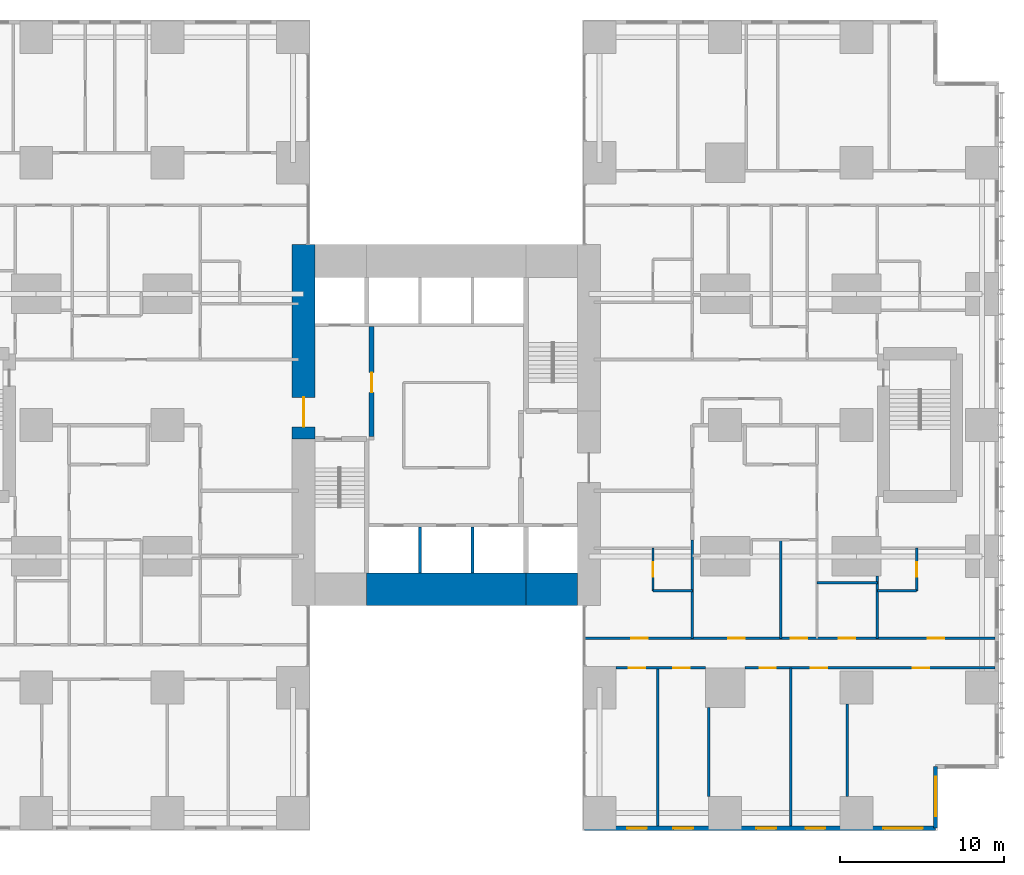
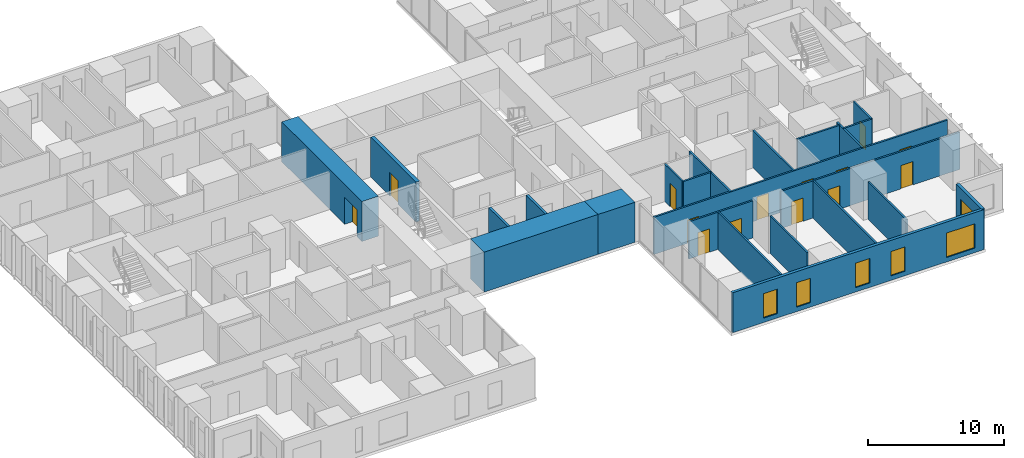
# One storey, part 14 of 20: 23 walls, 14 doors, 6 windows, 20 openings.
"""IFC4 building model written with IfcOpenShell, lengths in metres."""

from ifc_helpers import new_model, si_unit, direction, frame, frame_2d, origin, place, context, subcontext, project, spatial, rectangle, extrude, material, layer, layer_set, type_object, element, fill, save


model = new_model("IFC4")

# Units and contexts
model_context = context("Model", 3, precision=1e-05, world=origin(), true_north=direction((0.0, 1.0)))
body_context = subcontext(model_context, "Body", "Model", "MODEL_VIEW")
ifc_project = project(units=[si_unit("LENGTHUNIT", "METRE"), si_unit("AREAUNIT", "SQUARE_METRE"), si_unit("VOLUMEUNIT", "CUBIC_METRE"), si_unit("PLANEANGLEUNIT", "RADIAN"), si_unit("MASSUNIT", "GRAM", prefix="KILO")], contexts=[model_context])

# Site, building, storey
site_placement = place(None, origin())
site = spatial("IfcSite", under=ifc_project, at=site_placement, CompositionType="ELEMENT")
building_placement = place(site_placement, origin())
building = spatial("IfcBuilding", under=site, at=building_placement, Name="Cleftline Residences", CompositionType="ELEMENT")
storey_placement = place(building_placement, frame((0.0, 0.0, 121.39990234375)))
storey = spatial("IfcBuildingStorey", under=building, at=storey_placement, Name="L31", CompositionType="ELEMENT", Elevation=121.39990234375)

# Wall, opening, door
ifc_material_1 = material(Name="Concrete B70", Category="concrete")
ifc_layer_1 = layer(ifc_material_1, 1.39990234375)
ifc_layer_set_1 = layer_set([ifc_layer_1], Name="CORE WALL 1400")
wall_type_1 = type_object("IfcWallType", Name="CORE WALL 1400", PredefinedType="SHEAR", material=ifc_layer_set_1)
wall_1_placement = place(storey_placement, frame((24.300048828125, 23.14990234375, 0.0), z_axis=(0.0, 0.0, 1.0), x_axis=(0.0, 1.0, 0.0)))
wall_1 = element("IfcWall", 1, at=wall_1_placement, inside=storey, type_object=wall_type_1, Name="Core wall W", PredefinedType="SHEAR", context=body_context, shape_type="SweptSolid", body=[
    extrude(rectangle(XDim=11.85009765625, YDim=1.39990234375, at=frame_2d((5.925048828125, 0.0))), origin(), (0.0, 0.0, 1.0), 3.60009765625),
])
opening_1_placement = place(wall_1_placement, frame((0.75, 0.0, 0.0)))
opening_1 = element("IfcOpeningElement", 2, at=opening_1_placement, cuts=wall_1, Name="Opening D7", PredefinedType="OPENING", context=body_context, shape_type="SweptSolid", body=[
    extrude(rectangle(XDim=1.800048828125, YDim=2.39990234375, at=frame_2d((0.89990234375, 1.199951171875))), frame((0.0, 0.7099609375, 0.0), z_axis=(0.0, -1.0, 0.0), x_axis=(1.0, 0.0, 0.0)), (0.0, 0.0, 1.0), 1.419921875),
])
ifc_material_2 = material(Name="Steel", Category="steel")
door_type_1 = type_object("IfcDoorType", Name="WING DOOR 1800X2400", OperationType="DOUBLE_DOOR_DOUBLE_SWING", PredefinedType="DOOR", material=ifc_material_2)
door_1_placement = place(opening_1_placement, origin())
door_1 = element("IfcDoor", 3, at=door_1_placement, inside=storey, type_object=door_type_1, Name="West wing door", OperationType="DOUBLE_DOOR_DOUBLE_SWING", OverallHeight=2.39990234375, OverallWidth=1.800048828125, PredefinedType="DOOR", context=body_context, shape_type="SweptSolid", body=[
    extrude(rectangle(XDim=1.800048828125, YDim=2.39990234375, at=frame_2d((0.89990234375, 1.199951171875))), frame((0.0, 0.02490234375, 0.0), z_axis=(0.0, -1.0, 0.0), x_axis=(1.0, 0.0, 0.0)), (0.0, 0.0, 1.0), 0.050048828125),
])
fill(opening_1, door_1)

# Walls
ifc_material_3 = material(Name="Concrete B70", Category="concrete")
ifc_layer_2 = layer(ifc_material_3, 2.0)
ifc_layer_set_2 = layer_set([ifc_layer_2], Name="CORE WALL 2000")
wall_type_2 = type_object("IfcWallType", Name="CORE WALL 2000", PredefinedType="SHEAR", material=ifc_layer_set_2)
wall_2_placement = place(storey_placement, frame((28.14990234375, 14.0, 0.0), z_axis=(0.0, 0.0, 1.0), x_axis=(1.0, 0.0, 0.0)))
element("IfcWall", 4, at=wall_2_placement, inside=storey, type_object=wall_type_2, Name="Core wall S2", PredefinedType="SHEAR", context=body_context, shape_type="SweptSolid", body=[
    extrude(rectangle(XDim=9.7001953125, YDim=2.0, at=frame_2d((4.85009765625, 0.0))), origin(), (0.0, 0.0, 1.0), 3.60009765625),
])
wall_3_placement = place(storey_placement, frame((37.85009765625, 14.0, 0.0), z_axis=(0.0, 0.0, 1.0), x_axis=(1.0, 0.0, 0.0)))
element("IfcWall", 5, at=wall_3_placement, inside=storey, type_object=wall_type_2, Name="Core wall S3", PredefinedType="SHEAR", context=body_context, shape_type="SweptSolid", body=[
    extrude(rectangle(XDim=3.14990234375, YDim=2.0, at=frame_2d((1.574951171875, 0.0))), origin(), (0.0, 0.0, 1.0), 3.60009765625),
])

# Wall, openings, windows
ifc_material_4 = material(Name="Rendered reinforced concrete blockwork", Category="masonry")
ifc_layer_3 = layer(ifc_material_4, 0.25)
ifc_layer_set_3 = layer_set([ifc_layer_3], Name="EXTERNAL WALL 250")
wall_type_3 = type_object("IfcWallType", Name="EXTERNAL WALL 250", PredefinedType="SOLIDWALL", material=ifc_layer_set_3)
wall_4_placement = place(storey_placement, frame((41.425048828125, -0.574951171875, 0.0), z_axis=(0.0, 0.0, 1.0), x_axis=(1.0, 0.0, 0.0)))
wall_4 = element("IfcWall", 6, at=wall_4_placement, inside=storey, type_object=wall_type_3, Name="External wall", PredefinedType="SOLIDWALL", context=body_context, shape_type="SweptSolid", body=[
    extrude(rectangle(XDim=21.39990234375, YDim=0.25, at=frame_2d((10.699951171875, 0.0))), origin(), (0.0, 0.0, 1.0), 3.60009765625),
])
opening_2_placement = place(wall_4_placement, frame((2.60009765625, 0.0, 0.39990234375)))
opening_2 = element("IfcOpeningElement", 7, at=opening_2_placement, cuts=wall_4, Name="Opening W11", PredefinedType="OPENING", context=body_context, shape_type="SweptSolid", body=[
    extrude(rectangle(XDim=1.199951171875, YDim=2.199951171875, at=frame_2d((0.60009765625, 1.10009765625))), frame((0.0, 0.135009765625, 0.0), z_axis=(0.0, -1.0, 0.0), x_axis=(1.0, 0.0, 0.0)), (0.0, 0.0, 1.0), 0.27001953125),
])
opening_3_placement = place(wall_4_placement, frame((5.425048828125, 0.0, 0.39990234375)))
opening_3 = element("IfcOpeningElement", 8, at=opening_3_placement, cuts=wall_4, Name="Opening W11", PredefinedType="OPENING", context=body_context, shape_type="SweptSolid", body=[
    extrude(rectangle(XDim=1.199951171875, YDim=2.199951171875, at=frame_2d((0.60009765625, 1.10009765625))), frame((0.0, 0.135009765625, 0.0), z_axis=(0.0, -1.0, 0.0), x_axis=(1.0, 0.0, 0.0)), (0.0, 0.0, 1.0), 0.27001953125),
])
opening_4_placement = place(wall_4_placement, frame((10.47509765625, 0.0, 0.39990234375)))
opening_4 = element("IfcOpeningElement", 9, at=opening_4_placement, cuts=wall_4, Name="Opening W11", PredefinedType="OPENING", context=body_context, shape_type="SweptSolid", body=[
    extrude(rectangle(XDim=1.199951171875, YDim=2.199951171875, at=frame_2d((0.60009765625, 1.10009765625))), frame((0.0, 0.135009765625, 0.0), z_axis=(0.0, -1.0, 0.0), x_axis=(1.0, 0.0, 0.0)), (0.0, 0.0, 1.0), 0.27001953125),
])
opening_5_placement = place(wall_4_placement, frame((13.47509765625, 0.0, 0.39990234375)))
opening_5 = element("IfcOpeningElement", 10, at=opening_5_placement, cuts=wall_4, Name="Opening W11", PredefinedType="OPENING", context=body_context, shape_type="SweptSolid", body=[
    extrude(rectangle(XDim=1.199951171875, YDim=2.199951171875, at=frame_2d((0.60009765625, 1.10009765625))), frame((0.0, 0.135009765625, 0.0), z_axis=(0.0, -1.0, 0.0), x_axis=(1.0, 0.0, 0.0)), (0.0, 0.0, 1.0), 0.27001953125),
])
opening_6_placement = place(wall_4_placement, frame((18.22509765625, 0.0, 0.39990234375)))
opening_6 = element("IfcOpeningElement", 11, at=opening_6_placement, cuts=wall_4, Name="Opening W12", PredefinedType="OPENING", context=body_context, shape_type="SweptSolid", body=[
    extrude(rectangle(XDim=2.39990234375, YDim=2.199951171875, at=frame_2d((1.199951171875, 1.10009765625))), frame((0.0, 0.135009765625, 0.0), z_axis=(0.0, -1.0, 0.0), x_axis=(1.0, 0.0, 0.0)), (0.0, 0.0, 1.0), 0.27001953125),
])
ifc_material_5 = material(Name="Aluminium frame, clear double glazing", Category="aluminium")
window_type_1 = type_object("IfcWindowType", Name="WINDOW 1200X2200", PartitioningType="DOUBLE_PANEL_VERTICAL", PredefinedType="WINDOW", material=ifc_material_5)
window_1_placement = place(opening_2_placement, origin())
window_1 = element("IfcWindow", 12, at=window_1_placement, inside=storey, type_object=window_type_1, Name="Window", OverallHeight=2.199951171875, OverallWidth=1.199951171875, PartitioningType="SINGLE_PANEL", PredefinedType="WINDOW", context=body_context, shape_type="SweptSolid", body=[
    extrude(rectangle(XDim=1.199951171875, YDim=2.199951171875, at=frame_2d((0.60009765625, 1.10009765625))), frame((0.0, 0.030029296875, 0.0), z_axis=(0.0, -1.0, 0.0), x_axis=(1.0, 0.0, 0.0)), (0.0, 0.0, 1.0), 0.06005859375),
])
fill(opening_2, window_1)
window_2_placement = place(opening_3_placement, origin())
window_2 = element("IfcWindow", 13, at=window_2_placement, inside=storey, type_object=window_type_1, Name="Window", OverallHeight=2.199951171875, OverallWidth=1.199951171875, PartitioningType="SINGLE_PANEL", PredefinedType="WINDOW", context=body_context, shape_type="SweptSolid", body=[
    extrude(rectangle(XDim=1.199951171875, YDim=2.199951171875, at=frame_2d((0.60009765625, 1.10009765625))), frame((0.0, 0.030029296875, 0.0), z_axis=(0.0, -1.0, 0.0), x_axis=(1.0, 0.0, 0.0)), (0.0, 0.0, 1.0), 0.06005859375),
])
fill(opening_3, window_2)
window_3_placement = place(opening_4_placement, origin())
window_3 = element("IfcWindow", 14, at=window_3_placement, inside=storey, type_object=window_type_1, Name="Window", OverallHeight=2.199951171875, OverallWidth=1.199951171875, PartitioningType="SINGLE_PANEL", PredefinedType="WINDOW", context=body_context, shape_type="SweptSolid", body=[
    extrude(rectangle(XDim=1.199951171875, YDim=2.199951171875, at=frame_2d((0.60009765625, 1.10009765625))), frame((0.0, 0.030029296875, 0.0), z_axis=(0.0, -1.0, 0.0), x_axis=(1.0, 0.0, 0.0)), (0.0, 0.0, 1.0), 0.06005859375),
])
fill(opening_4, window_3)
window_4_placement = place(opening_5_placement, origin())
window_4 = element("IfcWindow", 15, at=window_4_placement, inside=storey, type_object=window_type_1, Name="Window", OverallHeight=2.199951171875, OverallWidth=1.199951171875, PartitioningType="SINGLE_PANEL", PredefinedType="WINDOW", context=body_context, shape_type="SweptSolid", body=[
    extrude(rectangle(XDim=1.199951171875, YDim=2.199951171875, at=frame_2d((0.60009765625, 1.10009765625))), frame((0.0, 0.030029296875, 0.0), z_axis=(0.0, -1.0, 0.0), x_axis=(1.0, 0.0, 0.0)), (0.0, 0.0, 1.0), 0.06005859375),
])
fill(opening_5, window_4)
ifc_material_6 = material(Name="Aluminium frame, clear double glazing", Category="aluminium")
window_type_2 = type_object("IfcWindowType", Name="WINDOW 2400X2200", PartitioningType="DOUBLE_PANEL_VERTICAL", PredefinedType="WINDOW", material=ifc_material_6)
window_5_placement = place(opening_6_placement, origin())
window_5 = element("IfcWindow", 16, at=window_5_placement, inside=storey, type_object=window_type_2, Name="Window", OverallHeight=2.199951171875, OverallWidth=2.39990234375, PartitioningType="SINGLE_PANEL", PredefinedType="WINDOW", context=body_context, shape_type="SweptSolid", body=[
    extrude(rectangle(XDim=2.39990234375, YDim=2.199951171875, at=frame_2d((1.199951171875, 1.10009765625))), frame((0.0, 0.030029296875, 0.0), z_axis=(0.0, -1.0, 0.0), x_axis=(1.0, 0.0, 0.0)), (0.0, 0.0, 1.0), 0.06005859375),
])
fill(opening_6, window_5)

# Wall, opening, window
wall_5_placement = place(storey_placement, frame((62.824951171875, -0.574951171875, 0.0), z_axis=(0.0, 0.0, 1.0), x_axis=(0.0, 1.0, 0.0)))
wall_5 = element("IfcWall", 17, at=wall_5_placement, inside=storey, type_object=wall_type_3, Name="External wall", PredefinedType="SOLIDWALL", context=body_context, shape_type="SweptSolid", body=[
    extrude(rectangle(XDim=3.75, YDim=0.25, at=frame_2d((1.875, 0.0))), origin(), (0.0, 0.0, 1.0), 3.60009765625),
])
opening_7_placement = place(wall_5_placement, frame((0.737548828125, 0.0, 0.39990234375)))
opening_7 = element("IfcOpeningElement", 18, at=opening_7_placement, cuts=wall_5, Name="Opening W12", PredefinedType="OPENING", context=body_context, shape_type="SweptSolid", body=[
    extrude(rectangle(XDim=2.39990234375, YDim=2.199951171875, at=frame_2d((1.199951171875, 1.10009765625))), frame((0.0, 0.135009765625, 0.0), z_axis=(0.0, -1.0, 0.0), x_axis=(1.0, 0.0, 0.0)), (0.0, 0.0, 1.0), 0.27001953125),
])
window_6_placement = place(opening_7_placement, origin())
window_6 = element("IfcWindow", 19, at=window_6_placement, inside=storey, type_object=window_type_2, Name="Window", OverallHeight=2.199951171875, OverallWidth=2.39990234375, PartitioningType="SINGLE_PANEL", PredefinedType="WINDOW", context=body_context, shape_type="SweptSolid", body=[
    extrude(rectangle(XDim=2.39990234375, YDim=2.199951171875, at=frame_2d((1.199951171875, 1.10009765625))), frame((0.0, 0.030029296875, 0.0), z_axis=(0.0, -1.0, 0.0), x_axis=(1.0, 0.0, 0.0)), (0.0, 0.0, 1.0), 0.06005859375),
])
fill(opening_7, window_6)

# Wall, openings, doors
ifc_material_7 = material(Name="Gypsum board on steel studs", Category="steel")
ifc_layer_4 = layer(ifc_material_7, 0.14990234375)
ifc_layer_set_4 = layer_set([ifc_layer_4], Name="PARTITION 150")
wall_type_4 = type_object("IfcWallType", Name="PARTITION 150", PredefinedType="PARTITIONING", material=ifc_layer_set_4)
wall_6_placement = place(storey_placement, frame((43.35009765625, 9.199951171875, 0.0), z_axis=(0.0, 0.0, 1.0), x_axis=(1.0, 0.0, 0.0)))
wall_6 = element("IfcWall", 20, at=wall_6_placement, inside=storey, type_object=wall_type_4, Name="Partition", PredefinedType="PARTITIONING", context=body_context, shape_type="SweptSolid", body=[
    extrude(rectangle(XDim=5.449951171875, YDim=0.14990234375, at=frame_2d((2.72509765625, 0.0))), origin(), (0.0, 0.0, 1.0), 3.35009765625),
])
opening_8_placement = place(wall_6_placement, frame((3.5, 0.0, 0.0)))
opening_8 = element("IfcOpeningElement", 21, at=opening_8_placement, cuts=wall_6, Name="Opening D2", PredefinedType="OPENING", context=body_context, shape_type="SweptSolid", body=[
    extrude(rectangle(XDim=1.0, YDim=2.10009765625, at=frame_2d((0.5, 1.050048828125))), frame((0.0, 0.0849609375, 0.0), z_axis=(0.0, -1.0, 0.0), x_axis=(1.0, 0.0, 0.0)), (0.0, 0.0, 1.0), 0.169921875),
])
opening_9_placement = place(wall_6_placement, frame((0.77490234375, 0.0, 0.0)))
opening_9 = element("IfcOpeningElement", 22, at=opening_9_placement, cuts=wall_6, Name="Opening D2", PredefinedType="OPENING", context=body_context, shape_type="SweptSolid", body=[
    extrude(rectangle(XDim=1.0, YDim=2.10009765625, at=frame_2d((0.5, 1.050048828125))), frame((0.0, 0.0849609375, 0.0), z_axis=(0.0, -1.0, 0.0), x_axis=(1.0, 0.0, 0.0)), (0.0, 0.0, 1.0), 0.169921875),
])
ifc_material_8 = material(Name="Timber veneer on solid core", Category="wood")
door_type_2 = type_object("IfcDoorType", Name="DOOR 1000X2100", OperationType="SINGLE_SWING_LEFT", PredefinedType="DOOR", material=ifc_material_8)
door_2_placement = place(opening_8_placement, origin())
door_2 = element("IfcDoor", 23, at=door_2_placement, inside=storey, type_object=door_type_2, Name="Door to family dining room", OperationType="SINGLE_SWING_LEFT", OverallHeight=2.10009765625, OverallWidth=1.0, PredefinedType="DOOR", context=body_context, shape_type="SweptSolid", body=[
    extrude(rectangle(XDim=1.0, YDim=2.10009765625, at=frame_2d((0.5, 1.050048828125))), frame((0.0, 0.02490234375, 0.0), z_axis=(0.0, -1.0, 0.0), x_axis=(1.0, 0.0, 0.0)), (0.0, 0.0, 1.0), 0.050048828125),
])
fill(opening_8, door_2)
door_3_placement = place(opening_9_placement, origin())
door_3 = element("IfcDoor", 24, at=door_3_placement, inside=storey, type_object=door_type_2, Name="Door to show kitchen", OperationType="SINGLE_SWING_RIGHT", OverallHeight=2.10009765625, OverallWidth=1.0, PredefinedType="DOOR", context=body_context, shape_type="SweptSolid", body=[
    extrude(rectangle(XDim=1.0, YDim=2.10009765625, at=frame_2d((0.5, 1.050048828125))), frame((0.0, 0.02490234375, 0.0), z_axis=(0.0, -1.0, 0.0), x_axis=(1.0, 0.0, 0.0)), (0.0, 0.0, 1.0), 0.050048828125),
])
fill(opening_9, door_3)

wall_7_placement = place(storey_placement, frame((51.199951171875, 9.199951171875, 0.0), z_axis=(0.0, 0.0, 1.0), x_axis=(1.0, 0.0, 0.0)))
wall_7 = element("IfcWall", 25, at=wall_7_placement, inside=storey, type_object=wall_type_4, Name="Partition", PredefinedType="PARTITIONING", context=body_context, shape_type="SweptSolid", body=[
    extrude(rectangle(XDim=15.25, YDim=0.14990234375, at=frame_2d((7.625, 0.0))), origin(), (0.0, 0.0, 1.0), 3.35009765625),
])
opening_10_placement = place(wall_7_placement, frame((10.25, 0.0, 0.0)))
opening_10 = element("IfcOpeningElement", 26, at=opening_10_placement, cuts=wall_7, Name="Opening D2", PredefinedType="OPENING", context=body_context, shape_type="SweptSolid", body=[
    extrude(rectangle(XDim=1.0, YDim=2.10009765625, at=frame_2d((0.5, 1.050048828125))), frame((0.0, 0.0849609375, 0.0), z_axis=(0.0, -1.0, 0.0), x_axis=(1.0, 0.0, 0.0)), (0.0, 0.0, 1.0), 0.169921875),
])
opening_11_placement = place(wall_7_placement, frame((4.02490234375, 0.0, 0.0)))
opening_11 = element("IfcOpeningElement", 27, at=opening_11_placement, cuts=wall_7, Name="Opening D2", PredefinedType="OPENING", context=body_context, shape_type="SweptSolid", body=[
    extrude(rectangle(XDim=1.0, YDim=2.10009765625, at=frame_2d((0.5, 1.050048828125))), frame((0.0, 0.0849609375, 0.0), z_axis=(0.0, -1.0, 0.0), x_axis=(1.0, 0.0, 0.0)), (0.0, 0.0, 1.0), 0.169921875),
])
opening_12_placement = place(wall_7_placement, frame((0.89990234375, 0.0, 0.0)))
opening_12 = element("IfcOpeningElement", 28, at=opening_12_placement, cuts=wall_7, Name="Opening D2", PredefinedType="OPENING", context=body_context, shape_type="SweptSolid", body=[
    extrude(rectangle(XDim=1.0, YDim=2.10009765625, at=frame_2d((0.5, 1.050048828125))), frame((0.0, 0.0849609375, 0.0), z_axis=(0.0, -1.0, 0.0), x_axis=(1.0, 0.0, 0.0)), (0.0, 0.0, 1.0), 0.169921875),
])
door_4_placement = place(opening_10_placement, origin())
door_4 = element("IfcDoor", 29, at=door_4_placement, inside=storey, type_object=door_type_2, Name="Door to sea-view lounge", OperationType="SINGLE_SWING_LEFT", OverallHeight=2.10009765625, OverallWidth=1.0, PredefinedType="DOOR", context=body_context, shape_type="SweptSolid", body=[
    extrude(rectangle(XDim=1.0, YDim=2.10009765625, at=frame_2d((0.5, 1.050048828125))), frame((0.0, 0.02490234375, 0.0), z_axis=(0.0, -1.0, 0.0), x_axis=(1.0, 0.0, 0.0)), (0.0, 0.0, 1.0), 0.050048828125),
])
fill(opening_10, door_4)
door_5_placement = place(opening_11_placement, origin())
door_5 = element("IfcDoor", 30, at=door_5_placement, inside=storey, type_object=door_type_2, Name="Door to library", OperationType="SINGLE_SWING_RIGHT", OverallHeight=2.10009765625, OverallWidth=1.0, PredefinedType="DOOR", context=body_context, shape_type="SweptSolid", body=[
    extrude(rectangle(XDim=1.0, YDim=2.10009765625, at=frame_2d((0.5, 1.050048828125))), frame((0.0, 0.02490234375, 0.0), z_axis=(0.0, -1.0, 0.0), x_axis=(1.0, 0.0, 0.0)), (0.0, 0.0, 1.0), 0.050048828125),
])
fill(opening_11, door_5)
door_6_placement = place(opening_12_placement, origin())
door_6 = element("IfcDoor", 31, at=door_6_placement, inside=storey, type_object=door_type_2, Name="Door to dining room", OperationType="SINGLE_SWING_RIGHT", OverallHeight=2.10009765625, OverallWidth=1.0, PredefinedType="DOOR", context=body_context, shape_type="SweptSolid", body=[
    extrude(rectangle(XDim=1.0, YDim=2.10009765625, at=frame_2d((0.5, 1.050048828125))), frame((0.0, 0.02490234375, 0.0), z_axis=(0.0, -1.0, 0.0), x_axis=(1.0, 0.0, 0.0)), (0.0, 0.0, 1.0), 0.050048828125),
])
fill(opening_12, door_6)

wall_8_placement = place(storey_placement, frame((41.43896484375, 11.0, 0.0), z_axis=(0.0, 0.0, 1.0), x_axis=(1.0, 0.0, 0.0)))
wall_8 = element("IfcWall", 32, at=wall_8_placement, inside=storey, type_object=wall_type_4, Name="Partition", PredefinedType="PARTITIONING", context=body_context, shape_type="SweptSolid", body=[
    extrude(rectangle(XDim=25.010986328125, YDim=0.14990234375, at=frame_2d((12.50537109375, 0.0))), origin(), (0.0, 0.0, 1.0), 3.35009765625),
])
opening_13_placement = place(wall_8_placement, frame((12.56103515625, 0.0, 0.0)))
opening_13 = element("IfcOpeningElement", 33, at=opening_13_placement, cuts=wall_8, Name="Opening D2", PredefinedType="OPENING", context=body_context, shape_type="SweptSolid", body=[
    extrude(rectangle(XDim=1.0, YDim=2.10009765625, at=frame_2d((0.5, 1.050048828125))), frame((0.0, 0.0849609375, 0.0), z_axis=(0.0, -1.0, 0.0), x_axis=(1.0, 0.0, 0.0)), (0.0, 0.0, 1.0), 0.169921875),
])
opening_14_placement = place(wall_8_placement, frame((20.923583984375, 0.0, 0.0)))
opening_14 = element("IfcOpeningElement", 34, at=opening_14_placement, cuts=wall_8, Name="Opening D2", PredefinedType="OPENING", context=body_context, shape_type="SweptSolid", body=[
    extrude(rectangle(XDim=1.0, YDim=2.10009765625, at=frame_2d((0.5, 1.050048828125))), frame((0.0, 0.0849609375, 0.0), z_axis=(0.0, -1.0, 0.0), x_axis=(1.0, 0.0, 0.0)), (0.0, 0.0, 1.0), 0.169921875),
])
opening_15_placement = place(wall_8_placement, frame((15.49853515625, 0.0, 0.0)))
opening_15 = element("IfcOpeningElement", 35, at=opening_15_placement, cuts=wall_8, Name="Opening D2", PredefinedType="OPENING", context=body_context, shape_type="SweptSolid", body=[
    extrude(rectangle(XDim=1.0, YDim=2.10009765625, at=frame_2d((0.5, 1.050048828125))), frame((0.0, 0.0849609375, 0.0), z_axis=(0.0, -1.0, 0.0), x_axis=(1.0, 0.0, 0.0)), (0.0, 0.0, 1.0), 0.169921875),
])
opening_16_placement = place(wall_8_placement, frame((8.760986328125, 0.0, 0.0)))
opening_16 = element("IfcOpeningElement", 36, at=opening_16_placement, cuts=wall_8, Name="Opening D2", PredefinedType="OPENING", context=body_context, shape_type="SweptSolid", body=[
    extrude(rectangle(XDim=1.0, YDim=2.10009765625, at=frame_2d((0.5, 1.050048828125))), frame((0.0, 0.0849609375, 0.0), z_axis=(0.0, -1.0, 0.0), x_axis=(1.0, 0.0, 0.0)), (0.0, 0.0, 1.0), 0.169921875),
])
opening_17_placement = place(wall_8_placement, frame((2.8359375, 0.0, 0.0)))
opening_17 = element("IfcOpeningElement", 37, at=opening_17_placement, cuts=wall_8, Name="Opening D2", PredefinedType="OPENING", context=body_context, shape_type="SweptSolid", body=[
    extrude(rectangle(XDim=1.0, YDim=2.10009765625, at=frame_2d((0.5, 1.050048828125))), frame((0.0, 0.0849609375, 0.0), z_axis=(0.0, -1.0, 0.0), x_axis=(1.0, 0.0, 0.0)), (0.0, 0.0, 1.0), 0.169921875),
])
door_7_placement = place(opening_13_placement, origin())
door_7 = element("IfcDoor", 38, at=door_7_placement, inside=storey, type_object=door_type_2, Name="Door to residence hall", OperationType="SINGLE_SWING_LEFT", OverallHeight=2.10009765625, OverallWidth=1.0, PredefinedType="DOOR", context=body_context, shape_type="SweptSolid", body=[
    extrude(rectangle(XDim=1.0, YDim=2.10009765625, at=frame_2d((0.5, 1.050048828125))), frame((0.0, 0.02490234375, 0.0), z_axis=(0.0, -1.0, 0.0), x_axis=(1.0, 0.0, 0.0)), (0.0, 0.0, 1.0), 0.050048828125),
])
fill(opening_13, door_7)
door_8_placement = place(opening_14_placement, origin())
door_8 = element("IfcDoor", 39, at=door_8_placement, inside=storey, type_object=door_type_2, Name="Door to master bedroom", OperationType="SINGLE_SWING_LEFT", OverallHeight=2.10009765625, OverallWidth=1.0, PredefinedType="DOOR", context=body_context, shape_type="SweptSolid", body=[
    extrude(rectangle(XDim=1.0, YDim=2.10009765625, at=frame_2d((0.5, 1.050048828125))), frame((0.0, 0.02490234375, 0.0), z_axis=(0.0, -1.0, 0.0), x_axis=(1.0, 0.0, 0.0)), (0.0, 0.0, 1.0), 0.050048828125),
])
fill(opening_14, door_8)
door_9_placement = place(opening_15_placement, origin())
door_9 = element("IfcDoor", 40, at=door_9_placement, inside=storey, type_object=door_type_2, Name="Door to wet kitchen", OperationType="SINGLE_SWING_LEFT", OverallHeight=2.10009765625, OverallWidth=1.0, PredefinedType="DOOR", context=body_context, shape_type="SweptSolid", body=[
    extrude(rectangle(XDim=1.0, YDim=2.10009765625, at=frame_2d((0.5, 1.050048828125))), frame((0.0, 0.02490234375, 0.0), z_axis=(0.0, -1.0, 0.0), x_axis=(1.0, 0.0, 0.0)), (0.0, 0.0, 1.0), 0.050048828125),
])
fill(opening_15, door_9)
door_10_placement = place(opening_16_placement, origin())
door_10 = element("IfcDoor", 41, at=door_10_placement, inside=storey, type_object=door_type_2, Name="Door to family room", OperationType="SINGLE_SWING_RIGHT", OverallHeight=2.10009765625, OverallWidth=1.0, PredefinedType="DOOR", context=body_context, shape_type="SweptSolid", body=[
    extrude(rectangle(XDim=1.0, YDim=2.10009765625, at=frame_2d((0.5, 1.050048828125))), frame((0.0, 0.02490234375, 0.0), z_axis=(0.0, -1.0, 0.0), x_axis=(1.0, 0.0, 0.0)), (0.0, 0.0, 1.0), 0.050048828125),
])
fill(opening_16, door_10)
door_11_placement = place(opening_17_placement, origin())
door_11 = element("IfcDoor", 42, at=door_11_placement, inside=storey, type_object=door_type_2, Name="Door to bedroom 2", OperationType="SINGLE_SWING_RIGHT", OverallHeight=2.10009765625, OverallWidth=1.0, PredefinedType="DOOR", context=body_context, shape_type="SweptSolid", body=[
    extrude(rectangle(XDim=1.0, YDim=2.10009765625, at=frame_2d((0.5, 1.050048828125))), frame((0.0, 0.02490234375, 0.0), z_axis=(0.0, -1.0, 0.0), x_axis=(1.0, 0.0, 0.0)), (0.0, 0.0, 1.0), 0.050048828125),
])
fill(opening_17, door_11)

# Walls
wall_9_placement = place(storey_placement, frame((45.60009765625, 13.89990234375, 0.0), z_axis=(0.0, 0.0, 1.0), x_axis=(1.0, 0.0, 0.0)))
element("IfcWall", 43, at=wall_9_placement, inside=storey, type_object=wall_type_4, Name="Partition", PredefinedType="PARTITIONING", context=body_context, shape_type="SweptSolid", body=[
    extrude(rectangle(XDim=2.39990234375, YDim=0.14990234375, at=frame_2d((1.199951171875, 0.0))), origin(), (0.0, 0.0, 1.0), 3.35009765625),
])
wall_10_placement = place(storey_placement, frame((59.27490234375, 13.89990234375, 0.0), z_axis=(0.0, 0.0, 1.0), x_axis=(1.0, 0.0, 0.0)))
element("IfcWall", 44, at=wall_10_placement, inside=storey, type_object=wall_type_4, Name="Partition", PredefinedType="PARTITIONING", context=body_context, shape_type="SweptSolid", body=[
    extrude(rectangle(XDim=2.400146484375, YDim=0.14990234375, at=frame_2d((1.2001953125, 0.0))), origin(), (0.0, 0.0, 1.0), 3.35009765625),
])
wall_11_placement = place(storey_placement, frame((55.60009765625, 14.39990234375, 0.0), z_axis=(0.0, 0.0, 1.0), x_axis=(1.0, 0.0, 0.0)))
element("IfcWall", 45, at=wall_11_placement, inside=storey, type_object=wall_type_4, Name="Partition", PredefinedType="PARTITIONING", context=body_context, shape_type="SweptSolid", body=[
    extrude(rectangle(XDim=3.6748046875, YDim=0.14990234375, at=frame_2d((1.83740234375, 0.0))), origin(), (0.0, 0.0, 1.0), 3.35009765625),
])

# Wall, opening, door
wall_12_placement = place(storey_placement, frame((45.60009765625, 13.89990234375, 0.0), z_axis=(0.0, 0.0, 1.0), x_axis=(0.0, 1.0, 0.0)))
wall_12 = element("IfcWall", 46, at=wall_12_placement, inside=storey, type_object=wall_type_4, Name="Partition", PredefinedType="PARTITIONING", context=body_context, shape_type="SweptSolid", body=[
    extrude(rectangle(XDim=2.60009765625, YDim=0.14990234375, at=frame_2d((1.300048828125, 0.0))), origin(), (0.0, 0.0, 1.0), 3.35009765625),
])
opening_18_placement = place(wall_12_placement, frame((0.85009765625, 0.0, 0.0)))
opening_18 = element("IfcOpeningElement", 47, at=opening_18_placement, cuts=wall_12, Name="Opening D1", PredefinedType="OPENING", context=body_context, shape_type="SweptSolid", body=[
    extrude(rectangle(XDim=0.89990234375, YDim=2.10009765625, at=frame_2d((0.449951171875, 1.050048828125))), frame((0.0, 0.0849609375, 0.0), z_axis=(0.0, -1.0, 0.0), x_axis=(1.0, 0.0, 0.0)), (0.0, 0.0, 1.0), 0.169921875),
])
ifc_material_9 = material(Name="Timber veneer on solid core", Category="wood")
door_type_3 = type_object("IfcDoorType", Name="DOOR 900X2100", OperationType="SINGLE_SWING_LEFT", PredefinedType="DOOR", material=ifc_material_9)
door_12_placement = place(opening_18_placement, origin())
door_12 = element("IfcDoor", 48, at=door_12_placement, inside=storey, type_object=door_type_3, Name="Door to en-suite bathroom 2", OperationType="SINGLE_SWING_LEFT", OverallHeight=2.10009765625, OverallWidth=0.89990234375, PredefinedType="DOOR", context=body_context, shape_type="SweptSolid", body=[
    extrude(rectangle(XDim=0.89990234375, YDim=2.10009765625, at=frame_2d((0.449951171875, 1.050048828125))), frame((0.0, 0.02490234375, 0.0), z_axis=(0.0, -1.0, 0.0), x_axis=(1.0, 0.0, 0.0)), (0.0, 0.0, 1.0), 0.050048828125),
])
fill(opening_18, door_12)

# Walls
wall_13_placement = place(storey_placement, frame((45.89990234375, -0.449951171875, 0.0), z_axis=(0.0, 0.0, 1.0), x_axis=(0.0, 1.0, 0.0)))
element("IfcWall", 49, at=wall_13_placement, inside=storey, type_object=wall_type_4, Name="Partition", PredefinedType="PARTITIONING", context=body_context, shape_type="SweptSolid", body=[
    extrude(rectangle(XDim=9.64990234375, YDim=0.14990234375, at=frame_2d((4.824951171875, 0.0))), origin(), (0.0, 0.0, 1.0), 3.35009765625),
])
wall_14_placement = place(storey_placement, frame((48.0, 11.0, 0.0), z_axis=(0.0, 0.0, 1.0), x_axis=(0.0, 1.0, 0.0)))
element("IfcWall", 50, at=wall_14_placement, inside=storey, type_object=wall_type_4, Name="Partition", PredefinedType="PARTITIONING", context=body_context, shape_type="SweptSolid", body=[
    extrude(rectangle(XDim=6.0, YDim=0.14990234375, at=frame_2d((3.0, 0.0))), origin(), (0.0, 0.0, 1.0), 3.35009765625),
])
wall_15_placement = place(storey_placement, frame((49.0, 1.35009765625, 0.0), z_axis=(0.0, 0.0, 1.0), x_axis=(0.0, 1.0, 0.0)))
element("IfcWall", 51, at=wall_15_placement, inside=storey, type_object=wall_type_4, Name="Partition", PredefinedType="PARTITIONING", context=body_context, shape_type="SweptSolid", body=[
    extrude(rectangle(XDim=5.449951171875, YDim=0.14990234375, at=frame_2d((2.72509765625, 0.0))), origin(), (0.0, 0.0, 1.0), 3.35009765625),
])
wall_16_placement = place(storey_placement, frame((53.39990234375, 11.0, 0.0), z_axis=(0.0, 0.0, 1.0), x_axis=(0.0, 1.0, 0.0)))
element("IfcWall", 52, at=wall_16_placement, inside=storey, type_object=wall_type_4, Name="Partition", PredefinedType="PARTITIONING", context=body_context, shape_type="SweptSolid", body=[
    extrude(rectangle(XDim=6.0, YDim=0.14990234375, at=frame_2d((3.0, 0.0))), origin(), (0.0, 0.0, 1.0), 3.35009765625),
])
wall_17_placement = place(storey_placement, frame((54.0, -0.449951171875, 0.0), z_axis=(0.0, 0.0, 1.0), x_axis=(0.0, 1.0, 0.0)))
element("IfcWall", 53, at=wall_17_placement, inside=storey, type_object=wall_type_4, Name="Partition", PredefinedType="PARTITIONING", context=body_context, shape_type="SweptSolid", body=[
    extrude(rectangle(XDim=9.64990234375, YDim=0.14990234375, at=frame_2d((4.824951171875, 0.0))), origin(), (0.0, 0.0, 1.0), 3.35009765625),
])
wall_18_placement = place(storey_placement, frame((57.449951171875, 1.35009765625, 0.0), z_axis=(0.0, 0.0, 1.0), x_axis=(0.0, 1.0, 0.0)))
element("IfcWall", 54, at=wall_18_placement, inside=storey, type_object=wall_type_4, Name="Partition", PredefinedType="PARTITIONING", context=body_context, shape_type="SweptSolid", body=[
    extrude(rectangle(XDim=5.64990234375, YDim=0.14990234375, at=frame_2d((2.824951171875, 0.0))), origin(), (0.0, 0.0, 1.0), 3.35009765625),
])
wall_19_placement = place(storey_placement, frame((59.27490234375, 11.0, 0.0), z_axis=(0.0, 0.0, 1.0), x_axis=(0.0, 1.0, 0.0)))
element("IfcWall", 55, at=wall_19_placement, inside=storey, type_object=wall_type_4, Name="Partition", PredefinedType="PARTITIONING", context=body_context, shape_type="SweptSolid", body=[
    extrude(rectangle(XDim=3.800048828125, YDim=0.14990234375, at=frame_2d((1.89990234375, 0.0))), origin(), (0.0, 0.0, 1.0), 3.35009765625),
])

# Wall, opening, door
wall_20_placement = place(storey_placement, frame((61.675048828125, 13.89990234375, 0.0), z_axis=(0.0, 0.0, 1.0), x_axis=(0.0, 1.0, 0.0)))
wall_20 = element("IfcWall", 56, at=wall_20_placement, inside=storey, type_object=wall_type_4, Name="Partition", PredefinedType="PARTITIONING", context=body_context, shape_type="SweptSolid", body=[
    extrude(rectangle(XDim=2.60009765625, YDim=0.14990234375, at=frame_2d((1.300048828125, 0.0))), origin(), (0.0, 0.0, 1.0), 3.35009765625),
])
opening_19_placement = place(wall_20_placement, frame((0.85009765625, 0.0, 0.0)))
opening_19 = element("IfcOpeningElement", 57, at=opening_19_placement, cuts=wall_20, Name="Opening D1", PredefinedType="OPENING", context=body_context, shape_type="SweptSolid", body=[
    extrude(rectangle(XDim=0.89990234375, YDim=2.10009765625, at=frame_2d((0.449951171875, 1.050048828125))), frame((0.0, 0.0849609375, 0.0), z_axis=(0.0, -1.0, 0.0), x_axis=(1.0, 0.0, 0.0)), (0.0, 0.0, 1.0), 0.169921875),
])
door_13_placement = place(opening_19_placement, origin())
door_13 = element("IfcDoor", 58, at=door_13_placement, inside=storey, type_object=door_type_3, Name="Door to master bathroom", OperationType="SINGLE_SWING_LEFT", OverallHeight=2.10009765625, OverallWidth=0.89990234375, PredefinedType="DOOR", context=body_context, shape_type="SweptSolid", body=[
    extrude(rectangle(XDim=0.89990234375, YDim=2.10009765625, at=frame_2d((0.449951171875, 1.050048828125))), frame((0.0, 0.02490234375, 0.0), z_axis=(0.0, -1.0, 0.0), x_axis=(1.0, 0.0, 0.0)), (0.0, 0.0, 1.0), 0.050048828125),
])
fill(opening_19, door_13)

# Walls
ifc_material_10 = material(Name="Concrete blockwork, fire rated", Category="masonry")
ifc_layer_5 = layer(ifc_material_10, 0.199951171875)
ifc_layer_set_5 = layer_set([ifc_layer_5], Name="SHAFT WALL 200")
wall_type_5 = type_object("IfcWallType", Name="SHAFT WALL 200", PredefinedType="PARTITIONING", material=ifc_layer_set_5)
for number, where, z_axis, x_axis, name in (
    (59, (31.39990234375, 15.0, 0.0), (0.0, 0.0, 1.0), (0.0, 1.0, 0.0), "Lift shaft wall"),
    (60, (34.60009765625, 15.0, 0.0), (0.0, 0.0, 1.0), (0.0, 1.0, 0.0), "Lift shaft wall"),
):
    element("IfcWall", number, at=place(storey_placement, frame(where, z_axis=z_axis, x_axis=x_axis)), inside=storey, type_object=wall_type_5, Name=name, PredefinedType="PARTITIONING", context=body_context, shape_type="SweptSolid", body=[
        extrude(rectangle(XDim=2.800048828125, YDim=0.199951171875, at=frame_2d((1.39990234375, 0.0))), origin(), (0.0, 0.0, 1.0), 3.60009765625),
    ])

# Wall, opening, door
ifc_material_11 = material(Name="Concrete blockwork, fire rated", Category="masonry")
ifc_layer_6 = layer(ifc_material_11, 0.300048828125)
ifc_layer_set_6 = layer_set([ifc_layer_6], Name="STAIR LOBBY WALL 300")
wall_type_6 = type_object("IfcWallType", Name="STAIR LOBBY WALL 300", PredefinedType="PARTITIONING", material=ifc_layer_set_6)
wall_21_placement = place(storey_placement, frame((28.449951171875, 23.300048828125, 0.0), z_axis=(0.0, 0.0, 1.0), x_axis=(0.0, 1.0, 0.0)))
wall_21 = element("IfcWall", 61, at=wall_21_placement, inside=storey, type_object=wall_type_6, Name="Stair and lobby wall FA-E", PredefinedType="PARTITIONING", context=body_context, shape_type="SweptSolid", body=[
    extrude(rectangle(XDim=6.699951171875, YDim=0.300048828125, at=frame_2d((3.35009765625, 0.0))), origin(), (0.0, 0.0, 1.0), 3.60009765625),
])
opening_20_placement = place(wall_21_placement, frame((2.699951171875, 0.0, 0.0)))
opening_20 = element("IfcOpeningElement", 62, at=opening_20_placement, cuts=wall_21, Name="Opening D6", PredefinedType="OPENING", context=body_context, shape_type="SweptSolid", body=[
    extrude(rectangle(XDim=1.199951171875, YDim=2.10009765625, at=frame_2d((0.60009765625, 1.050048828125))), frame((0.0, 0.159912109375, 0.0), z_axis=(0.0, -1.0, 0.0), x_axis=(1.0, 0.0, 0.0)), (0.0, 0.0, 1.0), 0.320068359375),
])
ifc_material_12 = material(Name="Steel", Category="steel")
door_type_4 = type_object("IfcDoorType", Name="LOBBY DOOR 1200X2100", OperationType="SINGLE_SWING_RIGHT", PredefinedType="DOOR", material=ifc_material_12)
door_14_placement = place(opening_20_placement, origin())
door_14 = element("IfcDoor", 63, at=door_14_placement, inside=storey, type_object=door_type_4, Name="Firefighting lobby A door", OperationType="SINGLE_SWING_RIGHT", OverallHeight=2.10009765625, OverallWidth=1.199951171875, PredefinedType="DOOR", context=body_context, shape_type="SweptSolid", body=[
    extrude(rectangle(XDim=1.199951171875, YDim=2.10009765625, at=frame_2d((0.60009765625, 1.050048828125))), frame((0.0, 0.02490234375, 0.0), z_axis=(0.0, -1.0, 0.0), x_axis=(1.0, 0.0, 0.0)), (0.0, 0.0, 1.0), 0.050048828125),
])
fill(opening_20, door_14)

save(model, "model.ifc")
